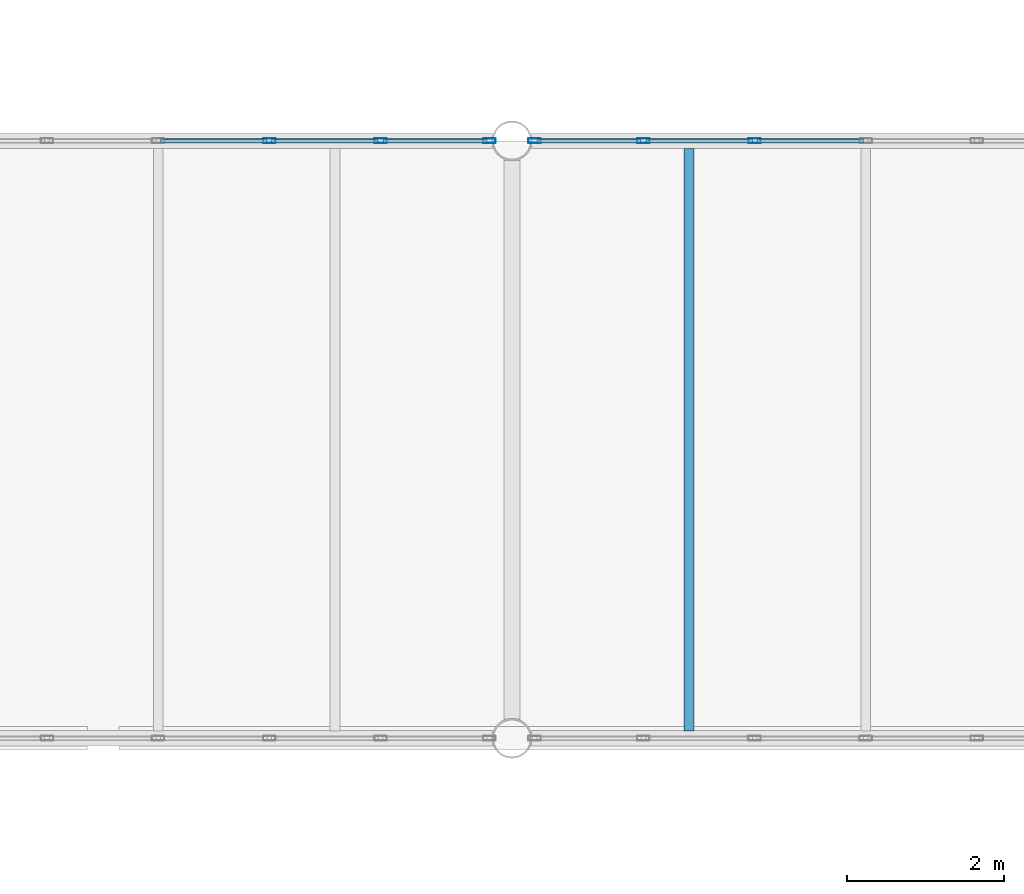
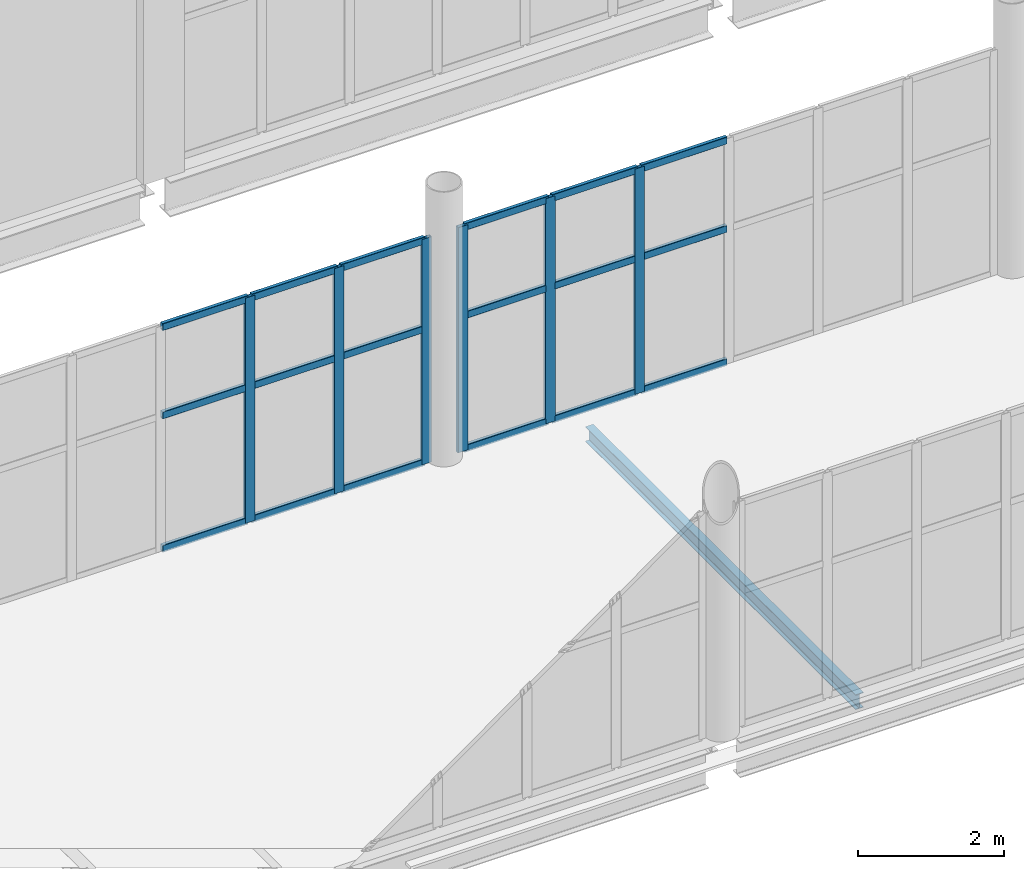
# One storey, part 113 of 172: 24 members, 1 beam, 2 elements without a shape of their own.
"""IFC4 building model written with IfcOpenShell, lengths in metres."""

from ifc_helpers import new_model, si_unit, direction, frame, origin, origin_2d, place, context, subcontext, project, spatial, hollow_rectangle, i_section, extrude, material, material_profile, profile_set, type_object, element, aggregate, save


model = new_model("IFC4")

# Units and contexts
model_context = context("Model", 3, precision=1e-05, world=origin(), true_north=direction((0.0, 1.0)))
body_context = subcontext(model_context, "Body", "Model", "MODEL_VIEW")
ifc_project = project(units=[si_unit("LENGTHUNIT", "METRE"), si_unit("AREAUNIT", "SQUARE_METRE"), si_unit("VOLUMEUNIT", "CUBIC_METRE"), si_unit("PLANEANGLEUNIT", "RADIAN"), si_unit("MASSUNIT", "GRAM", prefix="KILO")], contexts=[model_context])

# Site, building, storey
site_placement = place(None, origin())
site = spatial("IfcSite", under=ifc_project, at=site_placement, CompositionType="ELEMENT")
building_placement = place(site_placement, origin())
building = spatial("IfcBuilding", under=site, at=building_placement, Name="Shengluoqiao Park Theatre", CompositionType="ELEMENT")
storey_placement = place(building_placement, frame((0.0, 0.0, 5.39990234375)))
storey = spatial("IfcBuildingStorey", under=building, at=storey_placement, Name="L01", CompositionType="ELEMENT", Elevation=5.39990234375)

# Curtain wall, members
ifc_material_1 = material(Name="Aluminium 6063-T6", Category="aluminium")
curtain_wall_type = type_object("IfcCurtainWallType", Name="ENV-CW-BRIDGE", PredefinedType="NOTDEFINED", material=ifc_material_1)
curtain_wall_1_placement = place(storey_placement, origin())
curtain_wall_1 = element("IfcCurtainWall", 1, at=curtain_wall_1_placement, inside=storey, type_object=curtain_wall_type, Name="L01 Curtain Wall CWX-L01-0104", PredefinedType="NOTDEFINED")
ifc_material_profile_1 = material_profile(ifc_material_1, hollow_rectangle(XDim=0.06005859375, YDim=0.159912109375, WallThickness=0.00390625, InnerFilletRadius=0.00390625, OuterFilletRadius=0.008056640625, at=origin_2d()), Name="ALU MULLION 160x60x4")
ifc_profile_set_1 = profile_set([ifc_material_profile_1], Name="Aluminium 6063-T6")
member_type_1 = type_object("IfcMemberType", Name="ENV-MUL-160", PredefinedType="MULLION", material=ifc_profile_set_1)
member_1_placement = place(storey_placement, frame((136.31396484375, 76.0, 0.0), z_axis=(0.0, 0.0, 1.0), x_axis=(0.0, 1.0, 0.0)))
member_1 = element("IfcMember", 2, at=member_1_placement, type_object=member_type_1, Name="CW-03 mullion 5", PredefinedType="MULLION", context=body_context, shape_type="SweptSolid", body=[
    extrude(hollow_rectangle(XDim=0.06005859375, YDim=0.159912109375, WallThickness=0.00390625, InnerFilletRadius=0.00390625, OuterFilletRadius=0.008056640625, at=origin_2d()), origin(), (0.0, 0.0, 1.0), 3.772216796875),
])
member_2_placement = place(storey_placement, frame((137.72802734375, 76.0, 0.0), z_axis=(0.0, 0.0, 1.0), x_axis=(0.0, 1.0, 0.0)))
member_2 = element("IfcMember", 3, at=member_2_placement, type_object=member_type_1, Name="CW-03 mullion 6", PredefinedType="MULLION", context=body_context, shape_type="SweptSolid", body=[
    extrude(hollow_rectangle(XDim=0.06005859375, YDim=0.159912109375, WallThickness=0.00390625, InnerFilletRadius=0.00390625, OuterFilletRadius=0.008056640625, at=origin_2d()), origin(), (0.0, 0.0, 1.0), 3.772216796875),
])
member_3_placement = place(storey_placement, frame((139.112060546875, 76.0, 0.0), z_axis=(0.0, 0.0, 1.0), x_axis=(0.0, 1.0, 0.0)))
member_3 = element("IfcMember", 4, at=member_3_placement, type_object=member_type_1, Name="CW-03 mullion 7", PredefinedType="MULLION", context=body_context, shape_type="SweptSolid", body=[
    extrude(hollow_rectangle(XDim=0.06005859375, YDim=0.159912109375, WallThickness=0.00390625, InnerFilletRadius=0.00390625, OuterFilletRadius=0.008056640625, at=origin_2d()), origin(), (0.0, 0.0, 1.0), 3.772216796875),
])

curtain_wall_2_placement = place(storey_placement, origin())
curtain_wall_2 = element("IfcCurtainWall", 5, at=curtain_wall_2_placement, inside=storey, type_object=curtain_wall_type, Name="L01 Curtain Wall CWX-L01-0105", PredefinedType="NOTDEFINED")
member_4_placement = place(storey_placement, frame((139.68798828125, 76.0, 0.0), z_axis=(0.0, 0.0, 1.0), x_axis=(0.0, 1.0, 0.0)))
member_4 = element("IfcMember", 6, at=member_4_placement, type_object=member_type_1, Name="CW-03 mullion 1", PredefinedType="MULLION", context=body_context, shape_type="SweptSolid", body=[
    extrude(hollow_rectangle(XDim=0.06005859375, YDim=0.159912109375, WallThickness=0.00390625, InnerFilletRadius=0.00390625, OuterFilletRadius=0.008056640625, at=origin_2d()), origin(), (0.0, 0.0, 1.0), 3.772216796875),
])
member_5_placement = place(storey_placement, frame((141.072021484375, 76.0, 0.0), z_axis=(0.0, 0.0, 1.0), x_axis=(0.0, 1.0, 0.0)))
member_5 = element("IfcMember", 7, at=member_5_placement, type_object=member_type_1, Name="CW-03 mullion 2", PredefinedType="MULLION", context=body_context, shape_type="SweptSolid", body=[
    extrude(hollow_rectangle(XDim=0.06005859375, YDim=0.159912109375, WallThickness=0.00390625, InnerFilletRadius=0.00390625, OuterFilletRadius=0.008056640625, at=origin_2d()), origin(), (0.0, 0.0, 1.0), 3.772216796875),
])
member_6_placement = place(storey_placement, frame((142.486083984375, 76.0, 0.0), z_axis=(0.0, 0.0, 1.0), x_axis=(0.0, 1.0, 0.0)))
member_6 = element("IfcMember", 8, at=member_6_placement, type_object=member_type_1, Name="CW-03 mullion 3", PredefinedType="MULLION", context=body_context, shape_type="SweptSolid", body=[
    extrude(hollow_rectangle(XDim=0.06005859375, YDim=0.159912109375, WallThickness=0.00390625, InnerFilletRadius=0.00390625, OuterFilletRadius=0.008056640625, at=origin_2d()), origin(), (0.0, 0.0, 1.0), 3.772216796875),
])

# Member
ifc_material_profile_2 = material_profile(ifc_material_1, hollow_rectangle(XDim=0.06005859375, YDim=0.1201171875, WallThickness=0.00390625, InnerFilletRadius=0.00390625, OuterFilletRadius=0.008056640625, at=origin_2d()), Name="ALU TRANSOM 120x60x4")
ifc_profile_set_2 = profile_set([ifc_material_profile_2], Name="Aluminium 6063-T6")
member_type_2 = type_object("IfcMemberType", Name="ENV-TRN-120", PredefinedType="USERDEFINED", material=ifc_profile_set_2)
member_7_placement = place(storey_placement, frame((134.929931640625, 76.0, 0.030029296875), z_axis=(1.0, 0.0, 0.0), x_axis=(0.0, 1.0, 0.0)))
member_7 = element("IfcMember", 9, at=member_7_placement, type_object=member_type_2, Name="CW-03 transom 4.1", ObjectType="TRANSOM", PredefinedType="USERDEFINED", context=body_context, shape_type="SweptSolid", body=[
    extrude(hollow_rectangle(XDim=0.06005859375, YDim=0.1201171875, WallThickness=0.00390625, InnerFilletRadius=0.00390625, OuterFilletRadius=0.008056640625, at=origin_2d()), origin(), (0.0, 0.0, 1.0), 1.35400390625),
])

member_8_placement = place(storey_placement, frame((134.929931640625, 76.0, 2.26318359375), z_axis=(1.0, 0.0, 0.0), x_axis=(0.0, 1.0, 0.0)))
member_8 = element("IfcMember", 10, at=member_8_placement, type_object=member_type_2, Name="CW-03 transom 4.2", ObjectType="TRANSOM", PredefinedType="USERDEFINED", context=body_context, shape_type="SweptSolid", body=[
    extrude(hollow_rectangle(XDim=0.06005859375, YDim=0.1201171875, WallThickness=0.00390625, InnerFilletRadius=0.00390625, OuterFilletRadius=0.008056640625, at=origin_2d()), origin(), (0.0, 0.0, 1.0), 1.35400390625),
])

member_9_placement = place(storey_placement, frame((134.929931640625, 76.0, 3.7421875), z_axis=(1.0, 0.0, 0.0), x_axis=(0.0, 1.0, 0.0)))
member_9 = element("IfcMember", 11, at=member_9_placement, type_object=member_type_2, Name="CW-03 transom 4.3", ObjectType="TRANSOM", PredefinedType="USERDEFINED", context=body_context, shape_type="SweptSolid", body=[
    extrude(hollow_rectangle(XDim=0.06005859375, YDim=0.1201171875, WallThickness=0.00390625, InnerFilletRadius=0.00390625, OuterFilletRadius=0.008056640625, at=origin_2d()), origin(), (0.0, 0.0, 1.0), 1.35400390625),
])

member_10_placement = place(storey_placement, frame((136.343994140625, 76.0, 0.030029296875), z_axis=(1.0, 0.0, 0.0), x_axis=(0.0, 1.0, 0.0)))
member_10 = element("IfcMember", 12, at=member_10_placement, type_object=member_type_2, Name="CW-03 transom 5.1", ObjectType="TRANSOM", PredefinedType="USERDEFINED", context=body_context, shape_type="SweptSolid", body=[
    extrude(hollow_rectangle(XDim=0.06005859375, YDim=0.1201171875, WallThickness=0.00390625, InnerFilletRadius=0.00390625, OuterFilletRadius=0.008056640625, at=origin_2d()), origin(), (0.0, 0.0, 1.0), 1.35400390625),
])

member_11_placement = place(storey_placement, frame((136.343994140625, 76.0, 2.26318359375), z_axis=(1.0, 0.0, 0.0), x_axis=(0.0, 1.0, 0.0)))
member_11 = element("IfcMember", 13, at=member_11_placement, type_object=member_type_2, Name="CW-03 transom 5.2", ObjectType="TRANSOM", PredefinedType="USERDEFINED", context=body_context, shape_type="SweptSolid", body=[
    extrude(hollow_rectangle(XDim=0.06005859375, YDim=0.1201171875, WallThickness=0.00390625, InnerFilletRadius=0.00390625, OuterFilletRadius=0.008056640625, at=origin_2d()), origin(), (0.0, 0.0, 1.0), 1.35400390625),
])

member_12_placement = place(storey_placement, frame((136.343994140625, 76.0, 3.7421875), z_axis=(1.0, 0.0, 0.0), x_axis=(0.0, 1.0, 0.0)))
member_12 = element("IfcMember", 14, at=member_12_placement, type_object=member_type_2, Name="CW-03 transom 5.3", ObjectType="TRANSOM", PredefinedType="USERDEFINED", context=body_context, shape_type="SweptSolid", body=[
    extrude(hollow_rectangle(XDim=0.06005859375, YDim=0.1201171875, WallThickness=0.00390625, InnerFilletRadius=0.00390625, OuterFilletRadius=0.008056640625, at=origin_2d()), origin(), (0.0, 0.0, 1.0), 1.35400390625),
])

member_13_placement = place(storey_placement, frame((137.758056640625, 76.0, 0.030029296875), z_axis=(1.0, 0.0, 0.0), x_axis=(0.0, 1.0, 0.0)))
member_13 = element("IfcMember", 15, at=member_13_placement, type_object=member_type_2, Name="CW-03 transom 6.1", ObjectType="TRANSOM", PredefinedType="USERDEFINED", context=body_context, shape_type="SweptSolid", body=[
    extrude(hollow_rectangle(XDim=0.06005859375, YDim=0.1201171875, WallThickness=0.00390625, InnerFilletRadius=0.00390625, OuterFilletRadius=0.008056640625, at=origin_2d()), origin(), (0.0, 0.0, 1.0), 1.323974609375),
])

member_14_placement = place(storey_placement, frame((137.758056640625, 76.0, 2.26318359375), z_axis=(1.0, 0.0, 0.0), x_axis=(0.0, 1.0, 0.0)))
member_14 = element("IfcMember", 16, at=member_14_placement, type_object=member_type_2, Name="CW-03 transom 6.2", ObjectType="TRANSOM", PredefinedType="USERDEFINED", context=body_context, shape_type="SweptSolid", body=[
    extrude(hollow_rectangle(XDim=0.06005859375, YDim=0.1201171875, WallThickness=0.00390625, InnerFilletRadius=0.00390625, OuterFilletRadius=0.008056640625, at=origin_2d()), origin(), (0.0, 0.0, 1.0), 1.323974609375),
])

member_15_placement = place(storey_placement, frame((137.758056640625, 76.0, 3.7421875), z_axis=(1.0, 0.0, 0.0), x_axis=(0.0, 1.0, 0.0)))
member_15 = element("IfcMember", 17, at=member_15_placement, type_object=member_type_2, Name="CW-03 transom 6.3", ObjectType="TRANSOM", PredefinedType="USERDEFINED", context=body_context, shape_type="SweptSolid", body=[
    extrude(hollow_rectangle(XDim=0.06005859375, YDim=0.1201171875, WallThickness=0.00390625, InnerFilletRadius=0.00390625, OuterFilletRadius=0.008056640625, at=origin_2d()), origin(), (0.0, 0.0, 1.0), 1.323974609375),
])

aggregate(curtain_wall_1, [member_1, member_2, member_3, member_7, member_8, member_9, member_10, member_11, member_12, member_13, member_14, member_15])

member_16_placement = place(storey_placement, frame((139.718017578125, 76.0, 0.030029296875), z_axis=(1.0, 0.0, 0.0), x_axis=(0.0, 1.0, 0.0)))
member_16 = element("IfcMember", 18, at=member_16_placement, type_object=member_type_2, Name="CW-03 transom 1.1", ObjectType="TRANSOM", PredefinedType="USERDEFINED", context=body_context, shape_type="SweptSolid", body=[
    extrude(hollow_rectangle(XDim=0.06005859375, YDim=0.1201171875, WallThickness=0.00390625, InnerFilletRadius=0.00390625, OuterFilletRadius=0.008056640625, at=origin_2d()), origin(), (0.0, 0.0, 1.0), 1.323974609375),
])

member_17_placement = place(storey_placement, frame((139.718017578125, 76.0, 2.26318359375), z_axis=(1.0, 0.0, 0.0), x_axis=(0.0, 1.0, 0.0)))
member_17 = element("IfcMember", 19, at=member_17_placement, type_object=member_type_2, Name="CW-03 transom 1.2", ObjectType="TRANSOM", PredefinedType="USERDEFINED", context=body_context, shape_type="SweptSolid", body=[
    extrude(hollow_rectangle(XDim=0.06005859375, YDim=0.1201171875, WallThickness=0.00390625, InnerFilletRadius=0.00390625, OuterFilletRadius=0.008056640625, at=origin_2d()), origin(), (0.0, 0.0, 1.0), 1.323974609375),
])

member_18_placement = place(storey_placement, frame((139.718017578125, 76.0, 3.7421875), z_axis=(1.0, 0.0, 0.0), x_axis=(0.0, 1.0, 0.0)))
member_18 = element("IfcMember", 20, at=member_18_placement, type_object=member_type_2, Name="CW-03 transom 1.3", ObjectType="TRANSOM", PredefinedType="USERDEFINED", context=body_context, shape_type="SweptSolid", body=[
    extrude(hollow_rectangle(XDim=0.06005859375, YDim=0.1201171875, WallThickness=0.00390625, InnerFilletRadius=0.00390625, OuterFilletRadius=0.008056640625, at=origin_2d()), origin(), (0.0, 0.0, 1.0), 1.323974609375),
])

member_19_placement = place(storey_placement, frame((141.10205078125, 76.0, 0.030029296875), z_axis=(1.0, 0.0, 0.0), x_axis=(0.0, 1.0, 0.0)))
member_19 = element("IfcMember", 21, at=member_19_placement, type_object=member_type_2, Name="CW-03 transom 2.1", ObjectType="TRANSOM", PredefinedType="USERDEFINED", context=body_context, shape_type="SweptSolid", body=[
    extrude(hollow_rectangle(XDim=0.06005859375, YDim=0.1201171875, WallThickness=0.00390625, InnerFilletRadius=0.00390625, OuterFilletRadius=0.008056640625, at=origin_2d()), origin(), (0.0, 0.0, 1.0), 1.35400390625),
])

member_20_placement = place(storey_placement, frame((141.10205078125, 76.0, 2.26318359375), z_axis=(1.0, 0.0, 0.0), x_axis=(0.0, 1.0, 0.0)))
member_20 = element("IfcMember", 22, at=member_20_placement, type_object=member_type_2, Name="CW-03 transom 2.2", ObjectType="TRANSOM", PredefinedType="USERDEFINED", context=body_context, shape_type="SweptSolid", body=[
    extrude(hollow_rectangle(XDim=0.06005859375, YDim=0.1201171875, WallThickness=0.00390625, InnerFilletRadius=0.00390625, OuterFilletRadius=0.008056640625, at=origin_2d()), origin(), (0.0, 0.0, 1.0), 1.35400390625),
])

member_21_placement = place(storey_placement, frame((141.10205078125, 76.0, 3.7421875), z_axis=(1.0, 0.0, 0.0), x_axis=(0.0, 1.0, 0.0)))
member_21 = element("IfcMember", 23, at=member_21_placement, type_object=member_type_2, Name="CW-03 transom 2.3", ObjectType="TRANSOM", PredefinedType="USERDEFINED", context=body_context, shape_type="SweptSolid", body=[
    extrude(hollow_rectangle(XDim=0.06005859375, YDim=0.1201171875, WallThickness=0.00390625, InnerFilletRadius=0.00390625, OuterFilletRadius=0.008056640625, at=origin_2d()), origin(), (0.0, 0.0, 1.0), 1.35400390625),
])

member_22_placement = place(storey_placement, frame((142.51611328125, 76.0, 0.030029296875), z_axis=(1.0, 0.0, 0.0), x_axis=(0.0, 1.0, 0.0)))
member_22 = element("IfcMember", 24, at=member_22_placement, type_object=member_type_2, Name="CW-03 transom 3.1", ObjectType="TRANSOM", PredefinedType="USERDEFINED", context=body_context, shape_type="SweptSolid", body=[
    extrude(hollow_rectangle(XDim=0.06005859375, YDim=0.1201171875, WallThickness=0.00390625, InnerFilletRadius=0.00390625, OuterFilletRadius=0.008056640625, at=origin_2d()), origin(), (0.0, 0.0, 1.0), 1.35400390625),
])

member_23_placement = place(storey_placement, frame((142.51611328125, 76.0, 2.26318359375), z_axis=(1.0, 0.0, 0.0), x_axis=(0.0, 1.0, 0.0)))
member_23 = element("IfcMember", 25, at=member_23_placement, type_object=member_type_2, Name="CW-03 transom 3.2", ObjectType="TRANSOM", PredefinedType="USERDEFINED", context=body_context, shape_type="SweptSolid", body=[
    extrude(hollow_rectangle(XDim=0.06005859375, YDim=0.1201171875, WallThickness=0.00390625, InnerFilletRadius=0.00390625, OuterFilletRadius=0.008056640625, at=origin_2d()), origin(), (0.0, 0.0, 1.0), 1.35400390625),
])

member_24_placement = place(storey_placement, frame((142.51611328125, 76.0, 3.7421875), z_axis=(1.0, 0.0, 0.0), x_axis=(0.0, 1.0, 0.0)))
member_24 = element("IfcMember", 26, at=member_24_placement, type_object=member_type_2, Name="CW-03 transom 3.3", ObjectType="TRANSOM", PredefinedType="USERDEFINED", context=body_context, shape_type="SweptSolid", body=[
    extrude(hollow_rectangle(XDim=0.06005859375, YDim=0.1201171875, WallThickness=0.00390625, InnerFilletRadius=0.00390625, OuterFilletRadius=0.008056640625, at=origin_2d()), origin(), (0.0, 0.0, 1.0), 1.35400390625),
])

aggregate(curtain_wall_2, [member_4, member_5, member_6, member_16, member_17, member_18, member_19, member_20, member_21, member_22, member_23, member_24])

# Beam
ifc_material_2 = material(Name="Steel Q355", Category="steel")
ifc_material_profile_3 = material_profile(ifc_material_2, i_section(OverallWidth=0.125, OverallDepth=0.25, WebThickness=0.006103515625, FlangeThickness=0.009033203125, FilletRadius=0.010009765625, at=origin_2d()), Name="HN 250x125x6x9")
ifc_profile_set_3 = profile_set([ifc_material_profile_3], Name="Steel Q355")
beam_type = type_object("IfcBeamType", Name="STR-BM-J-HN250", PredefinedType="JOIST", material=ifc_profile_set_3)
beam_placement = place(storey_placement, frame((141.64990234375, 68.494384765625, -0.3349609375), z_axis=(0.0, 1.0, 0.0), x_axis=(-1.0, 0.0, 0.0)))
element("IfcBeam", 27, at=beam_placement, inside=storey, type_object=beam_type, Name="L01 Composite Joist 00555", PredefinedType="JOIST", context=body_context, shape_type="SweptSolid", body=[
    extrude(i_section(OverallWidth=0.125, OverallDepth=0.25, WebThickness=0.006103515625, FlangeThickness=0.009033203125, FilletRadius=0.010009765625, at=origin_2d()), origin(), (0.0, 0.0, 1.0), 7.4111328125),
])

save(model, "model.ifc")
